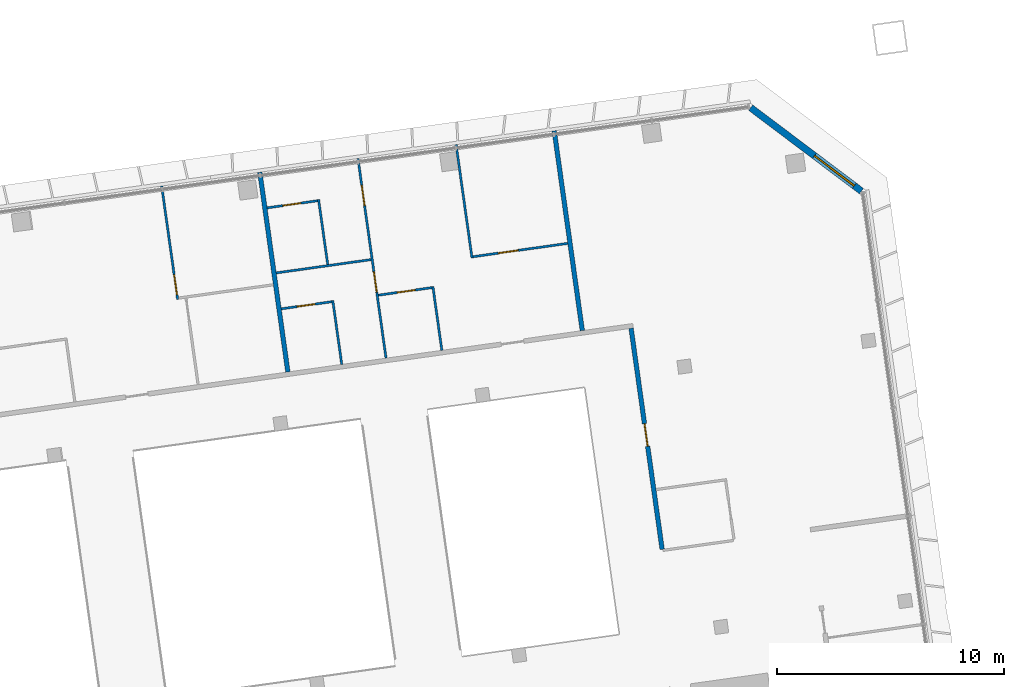
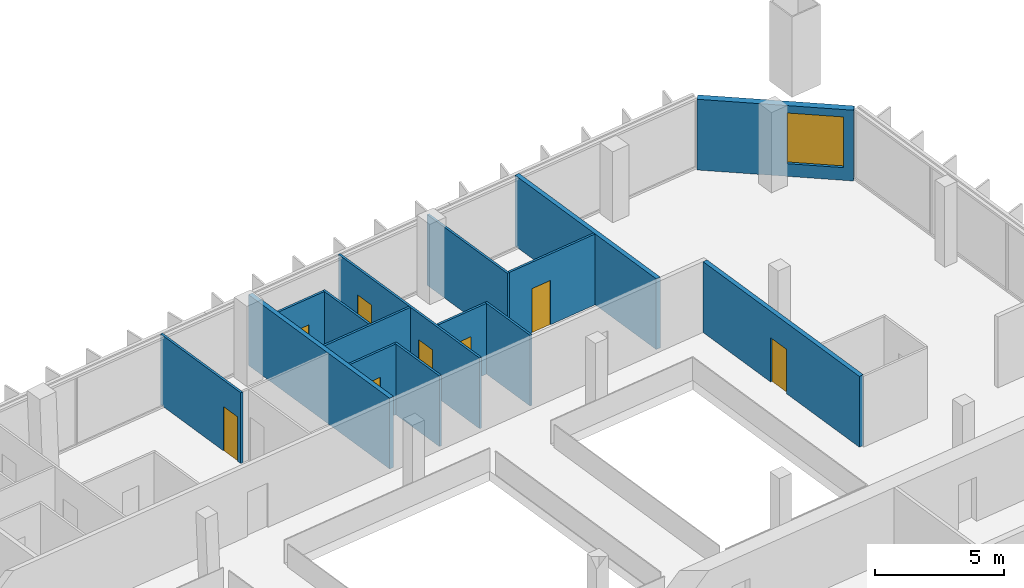
# One storey, part 23 of 26: 15 walls, 8 doors, 1 window, 9 openings.
"""IFC4 building model written with IfcOpenShell, lengths in metres."""

from ifc_helpers import new_model, si_unit, direction, frame, frame_2d, origin, place, context, subcontext, project, spatial, rectangle, extrude, material, layer, layer_set, type_object, element, fill, save


model = new_model("IFC4")

# Units and contexts
model_context = context("Model", 3, precision=1e-05, world=origin(), true_north=direction((0.0, 1.0)))
body_context = subcontext(model_context, "Body", "Model", "MODEL_VIEW")
ifc_project = project(units=[si_unit("LENGTHUNIT", "METRE"), si_unit("AREAUNIT", "SQUARE_METRE"), si_unit("VOLUMEUNIT", "CUBIC_METRE"), si_unit("PLANEANGLEUNIT", "RADIAN"), si_unit("MASSUNIT", "GRAM", prefix="KILO")], contexts=[model_context])

# Site, building, storey
site_placement = place(None, origin())
site = spatial("IfcSite", under=ifc_project, at=site_placement, CompositionType="ELEMENT")
building_placement = place(site_placement, origin())
building = spatial("IfcBuilding", under=site, at=building_placement, Name="Mirante Cascada Hotel Towers", CompositionType="ELEMENT")
storey_placement = place(building_placement, frame((0.0, 0.0, 203.0)))
storey = spatial("IfcBuildingStorey", under=building, at=storey_placement, Name="L48", CompositionType="ELEMENT", Elevation=203.0)

# Walls
ifc_material_1 = material(Name="Fire-rated plasterboard on metal studs")
ifc_layer_1 = layer(ifc_material_1, 0.2)
ifc_layer_set_1 = layer_set([ifc_layer_1], Name="Compartment wall 200 EI 120")
wall_type_1 = type_object("IfcWallType", Name="Compartment wall 200 EI 120", PredefinedType="PARTITIONING", material=ifc_layer_set_1)
for number, where, z_axis, x_axis, name in (
    (1, (54.7212, 20.6611, 0.0), (0.0, 0.0, 1.0), (0.1391684, -0.9902687, 0.0), "Wall 2-L48-46"),
    (2, (67.7129, 22.4869, 0.0), (0.0, 0.0, 1.0), (0.1391684, -0.9902687, 0.0), "Wall 2-L48-52"),
):
    element("IfcWall", number, at=place(storey_placement, frame(where, z_axis=z_axis, x_axis=x_axis)), inside=storey, type_object=wall_type_1, Name=name, PredefinedType="PARTITIONING", context=body_context, shape_type="SweptSolid", body=[
        extrude(rectangle(XDim=8.9, YDim=0.2, at=frame_2d((4.45, 0.0))), origin(), (0.0, 0.0, 1.0), 3.35),
    ])

# Wall, opening, door
wall_1_placement = place(storey_placement, frame((72.4755, 4.02, 0.0), z_axis=(0.0, 0.0, 1.0), x_axis=(-0.1391668, 0.990269, 0.0)))
wall_1 = element("IfcWall", 3, at=wall_1_placement, inside=storey, type_object=wall_type_1, Name="Wall 2-L48-53", PredefinedType="PARTITIONING", context=body_context, shape_type="SweptSolid", body=[
    extrude(rectangle(XDim=9.8501, YDim=0.2, at=frame_2d((4.925, 0.0))), origin(), (0.0, 0.0, 1.0), 3.35),
])
opening_1_placement = place(wall_1_placement, frame((4.6, 0.0, 0.0)))
opening_1 = element("IfcOpeningElement", 4, at=opening_1_placement, cuts=wall_1, Name="Opening D2-L48-31", PredefinedType="OPENING", context=body_context, shape_type="SweptSolid", body=[
    extrude(rectangle(XDim=1.0, YDim=2.1, at=frame_2d((0.5, 1.05))), frame((0.0, 0.1, 0.0), z_axis=(0.0, -1.0, 0.0), x_axis=(1.0, 0.0, 0.0)), (0.0, 0.0, 1.0), 0.2),
])
ifc_material_2 = material(Name="Fire-rated timber door leaf", Category="wood")
door_type_1 = type_object("IfcDoorType", Name="Entrance door DG1 1000x2100 EI 60", OperationType="SINGLE_SWING_LEFT", PredefinedType="DOOR", material=ifc_material_2)
door_1_placement = place(opening_1_placement, frame((1.0, 0.0, 0.0), z_axis=(0.0, 0.0, 1.0), x_axis=(-1.0, 0.0, 0.0)))
door_1 = element("IfcDoor", 5, at=door_1_placement, inside=storey, type_object=door_type_1, Name="Door D2-L48-31", OperationType="SINGLE_SWING_RIGHT", OverallHeight=2.1, OverallWidth=1.0, PredefinedType="DOOR", context=body_context, shape_type="SweptSolid", body=[
    extrude(rectangle(XDim=1.0, YDim=2.1, at=frame_2d((0.5, 1.05))), frame((0.0, 0.025, 0.0), z_axis=(0.0, -1.0, 0.0), x_axis=(1.0, 0.0, 0.0)), (0.0, 0.0, 1.0), 0.05),
])
fill(opening_1, door_1)

ifc_material_3 = material(Name="Plasterboard on metal studs")
ifc_layer_2 = layer(ifc_material_3, 0.1)
ifc_layer_set_2 = layer_set([ifc_layer_2], Name="Partition 100")
wall_type_2 = type_object("IfcWallType", Name="Partition 100", PredefinedType="PARTITIONING", material=ifc_layer_set_2)
wall_2_placement = place(storey_placement, frame((55.6692, 14.6343, 0.0), z_axis=(0.0, 0.0, 1.0), x_axis=(0.9902643, 0.1391997, 0.0)))
wall_2 = element("IfcWall", 6, at=wall_2_placement, inside=storey, type_object=wall_type_2, Name="Wall 2-L48-21", PredefinedType="PARTITIONING", context=body_context, shape_type="SweptSolid", body=[
    extrude(rectangle(XDim=2.25, YDim=0.1, at=frame_2d((1.125, 0.0))), origin(), (0.0, 0.0, 1.0), 3.35),
])
opening_2_placement = place(wall_2_placement, frame((0.7, 0.0, 0.0)))
opening_2 = element("IfcOpeningElement", 7, at=opening_2_placement, cuts=wall_2, Name="Opening D2-L48-11", PredefinedType="OPENING", context=body_context, shape_type="SweptSolid", body=[
    extrude(rectangle(XDim=0.8, YDim=2.1, at=frame_2d((0.4, 1.05))), frame((0.0, 0.05, 0.0), z_axis=(0.0, -1.0, 0.0), x_axis=(1.0, 0.0, 0.0)), (0.0, 0.0, 1.0), 0.1),
])
ifc_material_4 = material(Name="Timber door leaf", Category="wood")
door_type_2 = type_object("IfcDoorType", Name="Bathroom door DG4 800x2100", OperationType="SINGLE_SWING_LEFT", PredefinedType="DOOR", material=ifc_material_4)
door_2_placement = place(opening_2_placement, frame((0.8, 0.0, 0.0), z_axis=(0.0, 0.0, 1.0), x_axis=(-1.0, 0.0, 0.0)))
door_2 = element("IfcDoor", 8, at=door_2_placement, inside=storey, type_object=door_type_2, Name="Door D2-L48-11", OperationType="SINGLE_SWING_RIGHT", OverallHeight=2.1, OverallWidth=0.8, PredefinedType="DOOR", context=body_context, shape_type="SweptSolid", body=[
    extrude(rectangle(XDim=0.8, YDim=2.1, at=frame_2d((0.4, 1.05))), frame((0.0, 0.025, 0.0), z_axis=(0.0, -1.0, 0.0), x_axis=(1.0, 0.0, 0.0)), (0.0, 0.0, 1.0), 0.05),
])
fill(opening_2, door_2)

wall_3_placement = place(storey_placement, frame((62.3145, 15.5683, 0.0), z_axis=(0.0, 0.0, 1.0), x_axis=(-0.990267, -0.139181, 0.0)))
wall_3 = element("IfcWall", 9, at=wall_3_placement, inside=storey, type_object=wall_type_2, Name="Wall 2-L48-22", PredefinedType="PARTITIONING", context=body_context, shape_type="SweptSolid", body=[
    extrude(rectangle(XDim=2.3875, YDim=0.1, at=frame_2d((1.1938, 0.0))), origin(), (0.0, 0.0, 1.0), 3.35),
])
opening_3_placement = place(wall_3_placement, frame((0.75, 0.0, 0.0)))
opening_3 = element("IfcOpeningElement", 10, at=opening_3_placement, cuts=wall_3, Name="Opening D2-L48-12", PredefinedType="OPENING", context=body_context, shape_type="SweptSolid", body=[
    extrude(rectangle(XDim=0.8, YDim=2.1, at=frame_2d((0.4, 1.05))), frame((0.0, 0.05, 0.0), z_axis=(0.0, -1.0, 0.0), x_axis=(1.0, 0.0, 0.0)), (0.0, 0.0, 1.0), 0.1),
])
door_3_placement = place(opening_3_placement, frame((0.8, 0.0, 0.0), z_axis=(0.0, 0.0, 1.0), x_axis=(-1.0, 0.0, 0.0)))
door_3 = element("IfcDoor", 11, at=door_3_placement, inside=storey, type_object=door_type_2, Name="Door D2-L48-12", OperationType="SINGLE_SWING_RIGHT", OverallHeight=2.1, OverallWidth=0.8, PredefinedType="DOOR", context=body_context, shape_type="SweptSolid", body=[
    extrude(rectangle(XDim=0.8, YDim=2.1, at=frame_2d((0.4, 1.05))), frame((0.0, 0.025, 0.0), z_axis=(0.0, -1.0, 0.0), x_axis=(1.0, 0.0, 0.0)), (0.0, 0.0, 1.0), 0.05),
])
fill(opening_3, door_3)

wall_4_placement = place(storey_placement, frame((68.3097, 17.5217, 0.0), z_axis=(0.0, 0.0, 1.0), x_axis=(-0.9902666, -0.1391834, 0.0)))
wall_4 = element("IfcWall", 12, at=wall_4_placement, inside=storey, type_object=wall_type_2, Name="Wall 2-L48-24", PredefinedType="PARTITIONING", context=body_context, shape_type="SweptSolid", body=[
    extrude(rectangle(XDim=4.2232, YDim=0.1, at=frame_2d((2.1116, 0.0))), origin(), (0.0, 0.0, 1.0), 3.35),
])
opening_4_placement = place(wall_4_placement, frame((2.2, 0.0, 0.0)))
opening_4 = element("IfcOpeningElement", 13, at=opening_4_placement, cuts=wall_4, Name="Opening D2-L48-13", PredefinedType="OPENING", context=body_context, shape_type="SweptSolid", body=[
    extrude(rectangle(XDim=0.9, YDim=2.1, at=frame_2d((0.45, 1.05))), frame((0.0, 0.05, 0.0), z_axis=(0.0, -1.0, 0.0), x_axis=(1.0, 0.0, 0.0)), (0.0, 0.0, 1.0), 0.1),
])
ifc_material_5 = material(Name="Timber door leaf", Category="wood")
door_type_3 = type_object("IfcDoorType", Name="Room door DG3 900x2100", OperationType="SINGLE_SWING_LEFT", PredefinedType="DOOR", material=ifc_material_5)
door_4_placement = place(opening_4_placement, frame((0.9, 0.0, 0.0), z_axis=(0.0, 0.0, 1.0), x_axis=(-1.0, 0.0, 0.0)))
door_4 = element("IfcDoor", 14, at=door_4_placement, inside=storey, type_object=door_type_3, Name="Door D2-L48-13", OperationType="SINGLE_SWING_RIGHT", OverallHeight=2.1, OverallWidth=0.9, PredefinedType="DOOR", context=body_context, shape_type="SweptSolid", body=[
    extrude(rectangle(XDim=0.9, YDim=2.1, at=frame_2d((0.45, 1.05))), frame((0.0, 0.025, 0.0), z_axis=(0.0, -1.0, 0.0), x_axis=(1.0, 0.0, 0.0)), (0.0, 0.0, 1.0), 0.05),
])
fill(opening_4, door_4)

# Wall
wall_5_placement = place(storey_placement, frame((55.4465, 16.2188, 0.0), z_axis=(0.0, 0.0, 1.0), x_axis=(0.9902694, 0.1391634, 0.0)))
element("IfcWall", 15, at=wall_5_placement, inside=storey, type_object=wall_type_2, Name="Wall 2-L48-27", PredefinedType="PARTITIONING", context=body_context, shape_type="SweptSolid", body=[
    extrude(rectangle(XDim=4.2231, YDim=0.1, at=frame_2d((2.1115, 0.0))), origin(), (0.0, 0.0, 1.0), 3.35),
])

# Wall, opening, door
wall_6_placement = place(storey_placement, frame((55.0429, 19.0905, 0.0), z_axis=(0.0, 0.0, 1.0), x_axis=(0.9902643, 0.1391997, 0.0)))
wall_6 = element("IfcWall", 16, at=wall_6_placement, inside=storey, type_object=wall_type_2, Name="Wall 2-L48-29", PredefinedType="PARTITIONING", context=body_context, shape_type="SweptSolid", body=[
    extrude(rectangle(XDim=2.25, YDim=0.1, at=frame_2d((1.125, 0.0))), origin(), (0.0, 0.0, 1.0), 3.35),
])
opening_5_placement = place(wall_6_placement, frame((0.7, 0.0, 0.0)))
opening_5 = element("IfcOpeningElement", 17, at=opening_5_placement, cuts=wall_6, Name="Opening D2-L48-15", PredefinedType="OPENING", context=body_context, shape_type="SweptSolid", body=[
    extrude(rectangle(XDim=0.8, YDim=2.1, at=frame_2d((0.4, 1.05))), frame((0.0, 0.05, 0.0), z_axis=(0.0, -1.0, 0.0), x_axis=(1.0, 0.0, 0.0)), (0.0, 0.0, 1.0), 0.1),
])
door_5_placement = place(opening_5_placement, frame((0.8, 0.0, 0.0), z_axis=(0.0, 0.0, 1.0), x_axis=(-1.0, 0.0, 0.0)))
door_5 = element("IfcDoor", 18, at=door_5_placement, inside=storey, type_object=door_type_2, Name="Door D2-L48-15", OperationType="SINGLE_SWING_RIGHT", OverallHeight=2.1, OverallWidth=0.8, PredefinedType="DOOR", context=body_context, shape_type="SweptSolid", body=[
    extrude(rectangle(XDim=0.8, YDim=2.1, at=frame_2d((0.4, 1.05))), frame((0.0, 0.025, 0.0), z_axis=(0.0, -1.0, 0.0), x_axis=(1.0, 0.0, 0.0)), (0.0, 0.0, 1.0), 0.05),
])
fill(opening_5, door_5)

wall_7_placement = place(storey_placement, frame((50.3906, 20.0524, 0.0), z_axis=(0.0, 0.0, 1.0), x_axis=(0.1391893, -0.9902658, 0.0)))
wall_7 = element("IfcWall", 19, at=wall_7_placement, inside=storey, type_object=wall_type_2, Name="Wall 2-L48-44", PredefinedType="PARTITIONING", context=body_context, shape_type="SweptSolid", body=[
    extrude(rectangle(XDim=5.05, YDim=0.1, at=frame_2d((2.525, 0.0))), origin(), (0.0, 0.0, 1.0), 3.35),
])
opening_6_placement = place(wall_7_placement, frame((3.95, 0.0, 0.0)))
opening_6 = element("IfcOpeningElement", 20, at=opening_6_placement, cuts=wall_7, Name="Opening D2-L48-27", PredefinedType="OPENING", context=body_context, shape_type="SweptSolid", body=[
    extrude(rectangle(XDim=0.9, YDim=2.1, at=frame_2d((0.45, 1.05))), frame((0.0, 0.05, 0.0), z_axis=(0.0, -1.0, 0.0), x_axis=(1.0, 0.0, 0.0)), (0.0, 0.0, 1.0), 0.1),
])
door_6_placement = place(opening_6_placement, frame((0.9, 0.0, 0.0), z_axis=(0.0, 0.0, 1.0), x_axis=(-1.0, 0.0, 0.0)))
door_6 = element("IfcDoor", 21, at=door_6_placement, inside=storey, type_object=door_type_3, Name="Door D2-L48-27", OperationType="SINGLE_SWING_RIGHT", OverallHeight=2.1, OverallWidth=0.9, PredefinedType="DOOR", context=body_context, shape_type="SweptSolid", body=[
    extrude(rectangle(XDim=0.9, YDim=2.1, at=frame_2d((0.45, 1.05))), frame((0.0, 0.025, 0.0), z_axis=(0.0, -1.0, 0.0), x_axis=(1.0, 0.0, 0.0)), (0.0, 0.0, 1.0), 0.05),
])
fill(opening_6, door_6)

# Walls
wall_8_placement = place(storey_placement, frame((58.3365, 12.1817, 0.0), z_axis=(0.0, 0.0, 1.0), x_axis=(-0.1391909, 0.9902656, 0.0)))
element("IfcWall", 22, at=wall_8_placement, inside=storey, type_object=wall_type_2, Name="Wall 2-L48-47", PredefinedType="PARTITIONING", context=body_context, shape_type="SweptSolid", body=[
    extrude(rectangle(XDim=2.85, YDim=0.1, at=frame_2d((1.425, 0.0))), origin(), (0.0, 0.0, 1.0), 3.35),
])
wall_9_placement = place(storey_placement, frame((57.3135, 19.4602, 0.0), z_axis=(0.0, 0.0, 1.0), x_axis=(0.1391714, -0.9902683, 0.0)))
element("IfcWall", 23, at=wall_9_placement, inside=storey, type_object=wall_type_2, Name="Wall 2-L48-48", PredefinedType="PARTITIONING", context=body_context, shape_type="SweptSolid", body=[
    extrude(rectangle(XDim=2.9, YDim=0.1, at=frame_2d((1.45, 0.0))), origin(), (0.0, 0.0, 1.0), 3.35),
])

# Wall, openings, doors
wall_10_placement = place(storey_placement, frame((60.2904, 12.4563, 0.0), z_axis=(0.0, 0.0, 1.0), x_axis=(-0.1391794, 0.9902672, 0.0)))
wall_10 = element("IfcWall", 24, at=wall_10_placement, inside=storey, type_object=wall_type_2, Name="Wall 2-L48-49", PredefinedType="PARTITIONING", context=body_context, shape_type="SweptSolid", body=[
    extrude(rectangle(XDim=8.9, YDim=0.1, at=frame_2d((4.45, 0.0))), origin(), (0.0, 0.0, 1.0), 3.35),
])
opening_7_placement = place(wall_10_placement, frame((2.95, 0.0, 0.0)))
opening_7 = element("IfcOpeningElement", 25, at=opening_7_placement, cuts=wall_10, Name="Opening D2-L48-29", PredefinedType="OPENING", context=body_context, shape_type="SweptSolid", body=[
    extrude(rectangle(XDim=0.9, YDim=2.1, at=frame_2d((0.45, 1.05))), frame((0.0, 0.05, 0.0), z_axis=(0.0, -1.0, 0.0), x_axis=(1.0, 0.0, 0.0)), (0.0, 0.0, 1.0), 0.1),
])
opening_8_placement = place(wall_10_placement, frame((6.8, 0.0, 0.0)))
opening_8 = element("IfcOpeningElement", 26, at=opening_8_placement, cuts=wall_10, Name="Opening D2-L48-30", PredefinedType="OPENING", context=body_context, shape_type="SweptSolid", body=[
    extrude(rectangle(XDim=0.9, YDim=2.1, at=frame_2d((0.45, 1.05))), frame((0.0, 0.05, 0.0), z_axis=(0.0, -1.0, 0.0), x_axis=(1.0, 0.0, 0.0)), (0.0, 0.0, 1.0), 0.1),
])
door_7_placement = place(opening_7_placement, frame((0.9, 0.0, 0.0), z_axis=(0.0, 0.0, 1.0), x_axis=(-1.0, 0.0, 0.0)))
door_7 = element("IfcDoor", 27, at=door_7_placement, inside=storey, type_object=door_type_3, Name="Door D2-L48-29", OperationType="SINGLE_SWING_RIGHT", OverallHeight=2.1, OverallWidth=0.9, PredefinedType="DOOR", context=body_context, shape_type="SweptSolid", body=[
    extrude(rectangle(XDim=0.9, YDim=2.1, at=frame_2d((0.45, 1.05))), frame((0.0, 0.025, 0.0), z_axis=(0.0, -1.0, 0.0), x_axis=(1.0, 0.0, 0.0)), (0.0, 0.0, 1.0), 0.05),
])
fill(opening_7, door_7)
door_8_placement = place(opening_8_placement, frame((0.9, 0.0, 0.0), z_axis=(0.0, 0.0, 1.0), x_axis=(-1.0, 0.0, 0.0)))
door_8 = element("IfcDoor", 28, at=door_8_placement, inside=storey, type_object=door_type_3, Name="Door D2-L48-30", OperationType="SINGLE_SWING_RIGHT", OverallHeight=2.1, OverallWidth=0.9, PredefinedType="DOOR", context=body_context, shape_type="SweptSolid", body=[
    extrude(rectangle(XDim=0.9, YDim=2.1, at=frame_2d((0.45, 1.05))), frame((0.0, 0.025, 0.0), z_axis=(0.0, -1.0, 0.0), x_axis=(1.0, 0.0, 0.0)), (0.0, 0.0, 1.0), 0.05),
])
fill(opening_8, door_8)

# Walls
wall_11_placement = place(storey_placement, frame((62.357, 15.6247, 0.0), z_axis=(0.0, 0.0, 1.0), x_axis=(0.1391613, -0.9902697, 0.0)))
element("IfcWall", 29, at=wall_11_placement, inside=storey, type_object=wall_type_2, Name="Wall 2-L48-50", PredefinedType="PARTITIONING", context=body_context, shape_type="SweptSolid", body=[
    extrude(rectangle(XDim=2.8499, YDim=0.1, at=frame_2d((1.425, 0.0))), origin(), (0.0, 0.0, 1.0), 3.35),
])
wall_12_placement = place(storey_placement, frame((64.0851, 16.8774, 0.0), z_axis=(0.0, 0.0, 1.0), x_axis=(-0.1391671, 0.9902689, 0.0)))
element("IfcWall", 30, at=wall_12_placement, inside=storey, type_object=wall_type_2, Name="Wall 2-L48-51", PredefinedType="PARTITIONING", context=body_context, shape_type="SweptSolid", body=[
    extrude(rectangle(XDim=5.05, YDim=0.1, at=frame_2d((2.525, 0.0))), origin(), (0.0, 0.0, 1.0), 3.35),
])

# Wall, opening, window
ifc_material_6 = material(Name="Precast concrete C40/50", Category="concrete")
ifc_layer_3 = layer(ifc_material_6, 0.3)
ifc_layer_set_3 = layer_set([ifc_layer_3], Name="Precast concrete C40/50 cladding wall 300")
wall_type_3 = type_object("IfcWallType", Name="Precast concrete C40/50 cladding wall 300", PredefinedType="STANDARD", material=ifc_layer_set_3)
wall_13_placement = place(storey_placement, frame((81.2671, 19.8291, 0.0), z_axis=(0.0, 0.0, 1.0), x_axis=(-0.7986343, 0.6018167, 0.0)))
wall_13 = element("IfcWall", 31, at=wall_13_placement, inside=storey, type_object=wall_type_3, Name="Corner cladding wall T2 L48 outer front", PredefinedType="STANDARD", context=body_context, shape_type="SweptSolid", body=[
    extrude(rectangle(XDim=6.1158, YDim=0.3, at=frame_2d((3.0579, 0.0))), origin(), (0.0, 0.0, 1.0), 3.35),
])
opening_9_placement = place(wall_13_placement, frame((0.3914, 0.0, 0.6)))
opening_9 = element("IfcOpeningElement", 32, at=opening_9_placement, cuts=wall_13, Name="Opening W2-48-02", PredefinedType="OPENING", context=body_context, shape_type="SweptSolid", body=[
    extrude(rectangle(XDim=2.2, YDim=2.4, at=frame_2d((1.1, 1.2))), frame((0.0, 0.15, 0.0), z_axis=(0.0, -1.0, 0.0), x_axis=(1.0, 0.0, 0.0)), (0.0, 0.0, 1.0), 0.3),
])
ifc_material_7 = material(Name="Aluminium frame with clear double glazing", Category="aluminium")
window_type = type_object("IfcWindowType", Name="Corner suite window 2200x2400", PartitioningType="DOUBLE_PANEL_VERTICAL", PredefinedType="WINDOW", material=ifc_material_7)
window_placement = place(opening_9_placement, origin())
window = element("IfcWindow", 33, at=window_placement, inside=storey, type_object=window_type, Name="Window W2-48-02", OverallHeight=2.4, OverallWidth=2.2, PartitioningType="SINGLE_PANEL", PredefinedType="WINDOW", context=body_context, shape_type="SweptSolid", body=[
    extrude(rectangle(XDim=2.2, YDim=2.4, at=frame_2d((1.1, 1.2))), frame((0.0, 0.03, 0.0), z_axis=(0.0, -1.0, 0.0), x_axis=(1.0, 0.0, 0.0)), (0.0, 0.0, 1.0), 0.06),
])
fill(opening_9, window)

save(model, "model.ifc")
